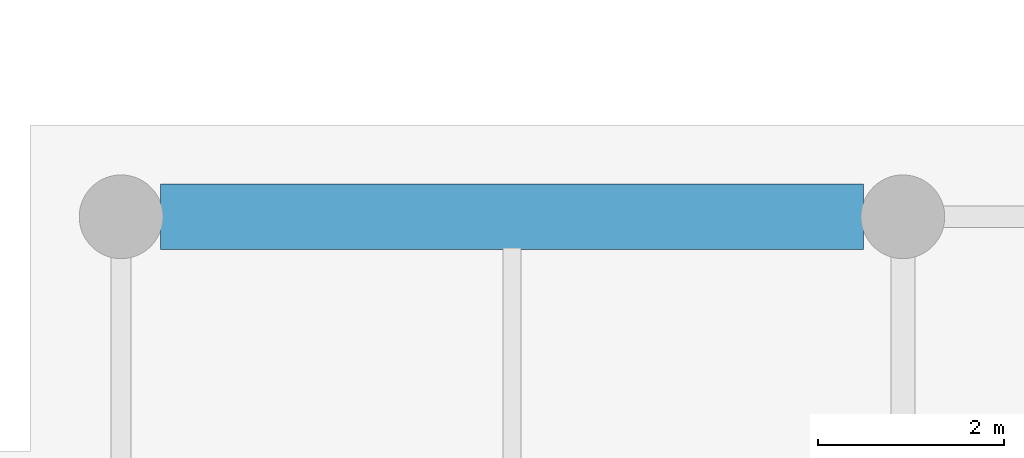
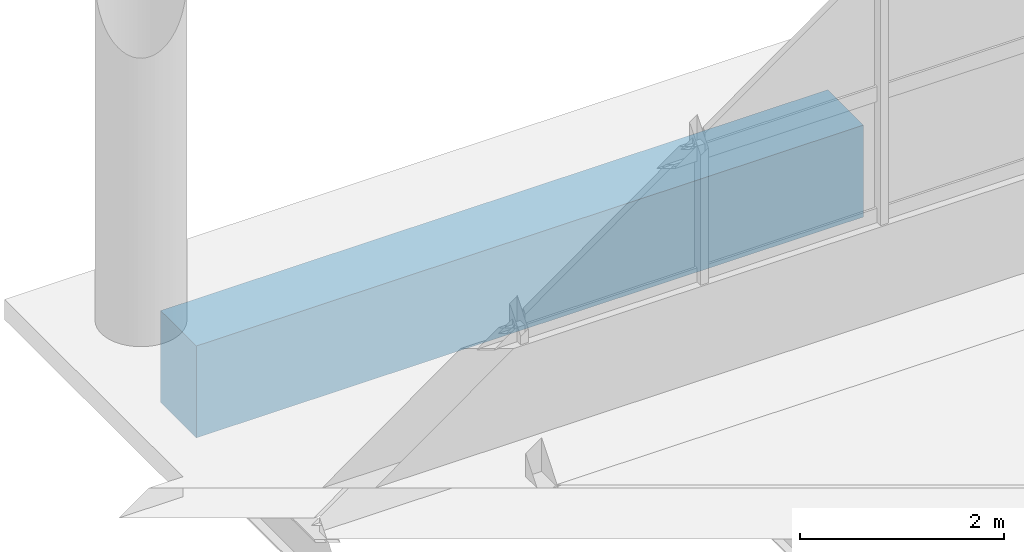
# One storey, part 46 of 107: 1 beam.
"""IFC4 building model written with IfcOpenShell, lengths in metres."""

from ifc_helpers import new_model, si_unit, direction, frame, origin, origin_2d, place, context, subcontext, project, spatial, rectangle, extrude, material, material_profile, profile_set, type_object, element, save


model = new_model("IFC4")

# Units and contexts
model_context = context("Model", 3, precision=1e-05, world=origin(), true_north=direction((0.0, 1.0)))
body_context = subcontext(model_context, "Body", "Model", "MODEL_VIEW")
ifc_project = project(units=[si_unit("LENGTHUNIT", "METRE"), si_unit("AREAUNIT", "SQUARE_METRE"), si_unit("VOLUMEUNIT", "CUBIC_METRE"), si_unit("PLANEANGLEUNIT", "RADIAN"), si_unit("MASSUNIT", "GRAM", prefix="KILO")], contexts=[model_context])

# Site, building, storey
site_placement = place(None, origin())
site = spatial("IfcSite", under=ifc_project, at=site_placement, CompositionType="ELEMENT")
building_placement = place(site_placement, origin())
building = spatial("IfcBuilding", under=site, at=building_placement, Name="Solvento Point Concert Hall", CompositionType="ELEMENT")
storey_placement = place(building_placement, origin())
storey = spatial("IfcBuildingStorey", under=building, at=storey_placement, Name="L00", CompositionType="ELEMENT", Elevation=0.0)

# Beam
ifc_material = material(Name="Concrete C35/45", Category="concrete")
ifc_material_profile = material_profile(ifc_material, rectangle(XDim=0.699951171875, YDim=1.10009765625, at=origin_2d()), Name="RC-BM-700X1100")
ifc_profile_set = profile_set([ifc_material_profile], Name="Concrete C35/45")
beam_type = type_object("IfcBeamType", Name="Girder_RC_700x1100", PredefinedType="USERDEFINED", material=ifc_profile_set)
beam_placement = place(storey_placement, frame((150.424072265625, 25.5, -0.7939453125), z_axis=(1.0, 0.0, 0.0), x_axis=(0.0, 1.0, 0.0)))
element("IfcBeam", 1, at=beam_placement, inside=storey, type_object=beam_type, Name="Primary girder B-49 L00", ObjectType="GIRDER", PredefinedType="USERDEFINED", context=body_context, shape_type="SweptSolid", body=[
    extrude(rectangle(XDim=0.699951171875, YDim=1.10009765625, at=origin_2d()), origin(), (0.0, 0.0, 1.0), 7.552001953125),
])

save(model, "model.ifc")
